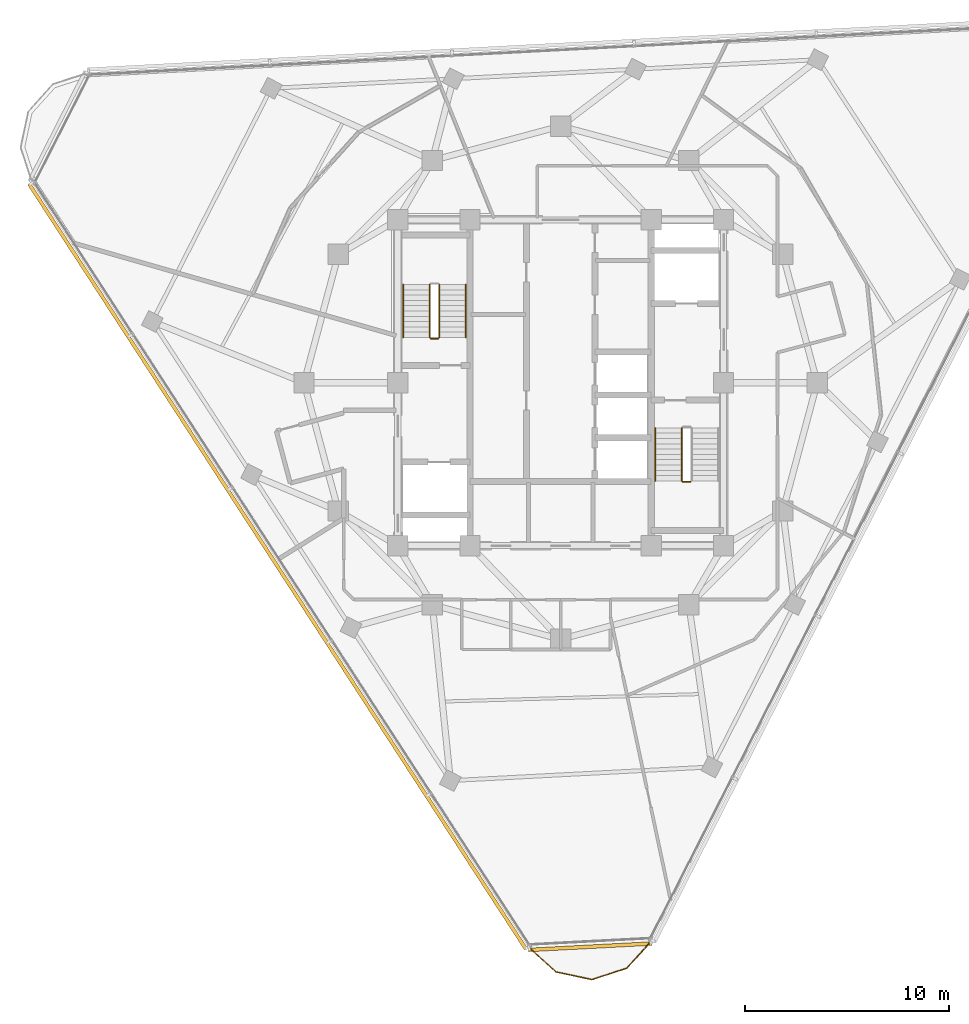
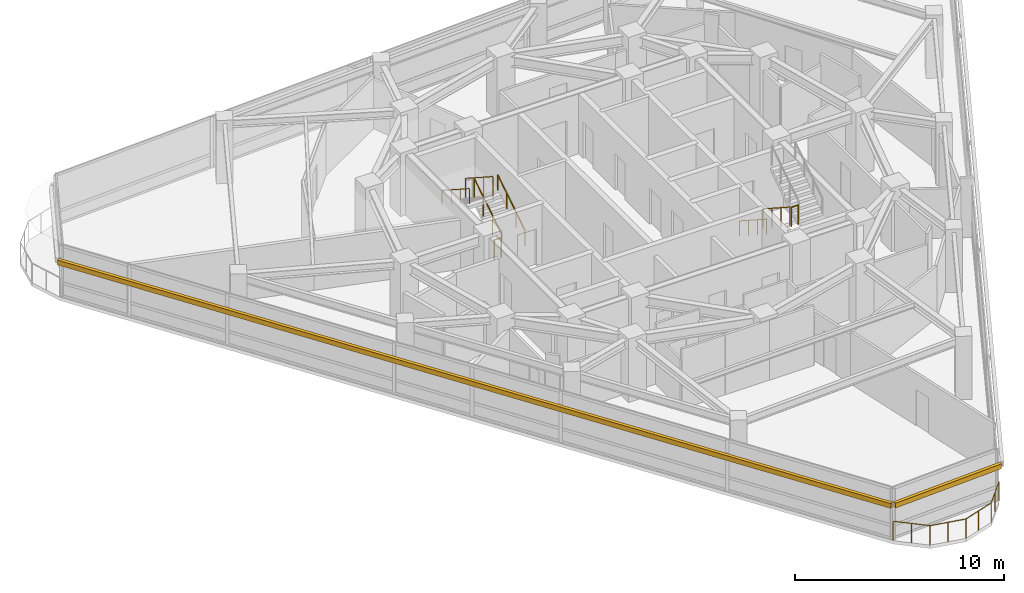
# One storey, part 12 of 15: 9 railings, 2 shading devices.
"""IFC4 building model written with IfcOpenShell, lengths in metres."""

from ifc_helpers import new_model, si_unit, direction, frame, origin, origin_2d, place, context, subcontext, project, spatial, rectangle, circle, extrude, material, layer, layer_set, type_object, element, save


model = new_model("IFC4")

# Units and contexts
model_context = context("Model", 3, precision=1e-05, world=origin(), true_north=direction((0.0, 1.0)))
body_context = subcontext(model_context, "Body", "Model", "MODEL_VIEW")
ifc_project = project(units=[si_unit("LENGTHUNIT", "METRE"), si_unit("AREAUNIT", "SQUARE_METRE"), si_unit("VOLUMEUNIT", "CUBIC_METRE"), si_unit("PLANEANGLEUNIT", "RADIAN"), si_unit("MASSUNIT", "GRAM", prefix="KILO")], contexts=[model_context])

# Site, building, storey
site_placement = place(None, origin())
site = spatial("IfcSite", under=ifc_project, at=site_placement, CompositionType="ELEMENT")
building_placement = place(site_placement, origin())
building = spatial("IfcBuilding", under=site, at=building_placement, Name="Terralouvre Media Tower", CompositionType="ELEMENT")
storey_placement = place(building_placement, frame((0.0, 0.0, 263.300048828125)))
storey = spatial("IfcBuildingStorey", under=building, at=storey_placement, Name="L68", CompositionType="ELEMENT", Elevation=263.300048828125)

# Railings
ifc_material_1 = material(Name="Stainless steel 316 handrail and balustrade", Category="steel")
ifc_layer_1 = layer(ifc_material_1, 0.06005859375, Name="Roof Edge Safety Guardrail GR-ROOF1")
ifc_layer_set_1 = layer_set([ifc_layer_1], Name="Stainless steel 316 handrail and balustrade")
railing_type_1 = type_object("IfcRailingType", Name="Roof Edge Safety Guardrail GR-ROOF1", PredefinedType="GUARDRAIL", material=ifc_layer_set_1)
railing_1_placement = place(storey_placement, frame((-1.580810546875, -27.72119140625, 0.0)))
element("IfcRailing", 1, at=railing_1_placement, inside=storey, type_object=railing_type_1, Name="L68 Wind-Corner Perimeter Safety Guardrail C0", PredefinedType="GUARDRAIL", context=body_context, shape_type="SweptSolid", body=[
    extrude(circle(Radius=0.02099609375, at=origin_2d()), frame((0.0, 0.0, 1.12890625), z_axis=(0.743012566317, -0.66927746585, 0.0), x_axis=(0.66927746585, 0.743012566317, 0.0)), (0.0, 0.0, 1.0), 1.81103515625),
    extrude(circle(Radius=0.02099609375, at=origin_2d()), frame((1.345703125, -1.212158203125, 1.12890625), z_axis=(0.978122858597, -0.208028059382, 0.0), x_axis=(0.208028059382, 0.978122858597, 0.0)), (0.0, 0.0, 1.0), 1.810791015625),
    extrude(circle(Radius=0.02099609375, at=origin_2d()), frame((3.116943359375, -1.5888671875, 1.12890625), z_axis=(0.951016233487, 0.309140944625, 0.0), x_axis=(-0.309140944625, 0.951016233487, 0.0)), (0.0, 0.0, 1.0), 1.810791015625),
    extrude(circle(Radius=0.02099609375, at=origin_2d()), frame((4.839111328125, -1.029052734375, 1.12890625), z_axis=(0.668920042495, 0.74333436403, 0.0), x_axis=(-0.74333436403, 0.668920042495, 0.0)), (0.0, 0.0, 1.0), 1.81103515625),
    extrude(circle(Radius=0.01904296875, at=origin_2d()), origin(), (0.0, 0.0, 1.0), 1.10791015625),
    extrude(circle(Radius=0.01904296875, at=origin_2d()), frame((0.6728515625, -0.60595703125, 0.0)), (0.0, 0.0, 1.0), 1.10791015625),
    extrude(circle(Radius=0.01904296875, at=origin_2d()), frame((1.345703125, -1.212158203125, 0.0)), (0.0, 0.0, 1.0), 1.10791015625),
    extrude(circle(Radius=0.01904296875, at=origin_2d()), frame((2.2314453125, -1.400390625, 0.0)), (0.0, 0.0, 1.0), 1.10791015625),
    extrude(circle(Radius=0.01904296875, at=origin_2d()), frame((3.116943359375, -1.5888671875, 0.0)), (0.0, 0.0, 1.0), 1.10791015625),
    extrude(circle(Radius=0.01904296875, at=origin_2d()), frame((3.97802734375, -1.30908203125, 0.0)), (0.0, 0.0, 1.0), 1.10791015625),
    extrude(circle(Radius=0.01904296875, at=origin_2d()), frame((4.839111328125, -1.029052734375, 0.0)), (0.0, 0.0, 1.0), 1.10791015625),
    extrude(circle(Radius=0.01904296875, at=origin_2d()), frame((5.44482421875, -0.35595703125, 0.0)), (0.0, 0.0, 1.0), 1.10791015625),
    extrude(circle(Radius=0.01904296875, at=origin_2d()), frame((6.050537109375, 0.317138671875, 0.0)), (0.0, 0.0, 1.0), 1.10791015625),
])
ifc_material_2 = material(Name="Stainless steel 316 handrail and balustrade", Category="steel")
ifc_layer_2 = layer(ifc_material_2, 0.050048828125, Name="Stair Flight Wall Handrail HR-INT1")
ifc_layer_set_2 = layer_set([ifc_layer_2], Name="Stainless steel 316 handrail and balustrade")
railing_type_2 = type_object("IfcRailingType", Name="Stair Flight Wall Handrail HR-INT1", PredefinedType="HANDRAIL", material=ifc_layer_set_2)
railing_2_placement = place(storey_placement, frame((-4.64990234375, 2.219970703125, 0.168212890625)))
element("IfcRailing", 2, at=railing_2_placement, inside=storey, type_object=railing_type_2, Name="L68 ST-01 stair handrail 1", PredefinedType="HANDRAIL", context=body_context, shape_type="SweptSolid", body=[
    extrude(circle(Radius=0.02392578125, at=origin_2d()), frame((0.0, 0.0, 0.8759765625), z_axis=(0.0, 0.839684365666, 0.543074733399), x_axis=(-1.0, 0.0, 0.0)), (0.0, 0.0, 1.0), 3.096435546875),
    extrude(circle(Radius=0.02099609375, at=origin_2d()), origin(), (0.0, 0.0, 1.0), 0.851806640625),
    extrude(circle(Radius=0.02099609375, at=origin_2d()), frame((0.0, 0.86669921875, 0.560546875)), (0.0, 0.0, 1.0), 0.851806640625),
    extrude(circle(Radius=0.02099609375, at=origin_2d()), frame((0.0, 1.7333984375, 1.12109375)), (0.0, 0.0, 1.0), 0.851806640625),
    extrude(circle(Radius=0.02099609375, at=origin_2d()), frame((0.0, 2.60009765625, 1.681640625)), (0.0, 0.0, 1.0), 0.851806640625),
])
railing_3_placement = place(storey_placement, frame((-7.72998046875, 4.820068359375, 2.01806640625)))
element("IfcRailing", 3, at=railing_3_placement, inside=storey, type_object=railing_type_2, Name="L68 ST-01 stair handrail 2", PredefinedType="HANDRAIL", context=body_context, shape_type="SweptSolid", body=[
    extrude(circle(Radius=0.02392578125, at=origin_2d()), frame((0.0, 0.0, 0.8759765625), z_axis=(0.0, -0.839648411786, 0.543130320075), x_axis=(1.0, 0.0, 0.0)), (0.0, 0.0, 1.0), 3.0966796875),
    extrude(circle(Radius=0.02099609375, at=origin_2d()), origin(), (0.0, 0.0, 1.0), 0.851806640625),
    extrude(circle(Radius=0.02099609375, at=origin_2d()), frame((0.0, -0.86669921875, 0.560546875)), (0.0, 0.0, 1.0), 0.851806640625),
    extrude(circle(Radius=0.02099609375, at=origin_2d()), frame((0.0, -1.7333984375, 1.121337890625)), (0.0, 0.0, 1.0), 0.851806640625),
    extrude(circle(Radius=0.02099609375, at=origin_2d()), frame((0.0, -2.60009765625, 1.681884765625)), (0.0, 0.0, 1.0), 0.851806640625),
])
railing_4_placement = place(storey_placement, frame((4.64990234375, -2.219970703125, 0.168212890625)))
element("IfcRailing", 4, at=railing_4_placement, inside=storey, type_object=railing_type_2, Name="L68 ST-02 stair handrail 1", PredefinedType="HANDRAIL", context=body_context, shape_type="SweptSolid", body=[
    extrude(circle(Radius=0.02392578125, at=origin_2d()), frame((0.0, 0.0, 0.8759765625), z_axis=(0.0, -0.839684365666, 0.543074733399), x_axis=(1.0, 0.0, 0.0)), (0.0, 0.0, 1.0), 3.096435546875),
    extrude(circle(Radius=0.02099609375, at=origin_2d()), origin(), (0.0, 0.0, 1.0), 0.851806640625),
    extrude(circle(Radius=0.02099609375, at=origin_2d()), frame((0.0, -0.86669921875, 0.560546875)), (0.0, 0.0, 1.0), 0.851806640625),
    extrude(circle(Radius=0.02099609375, at=origin_2d()), frame((0.0, -1.7333984375, 1.12109375)), (0.0, 0.0, 1.0), 0.851806640625),
    extrude(circle(Radius=0.02099609375, at=origin_2d()), frame((0.0, -2.60009765625, 1.681640625)), (0.0, 0.0, 1.0), 0.851806640625),
])
ifc_material_3 = material(Name="Stainless steel 316 handrail and balustrade", Category="steel")
ifc_layer_3 = layer(ifc_material_3, 0.050048828125, Name="Stairwell Safety Guardrail GR-INT1")
ifc_layer_set_3 = layer_set([ifc_layer_3], Name="Stainless steel 316 handrail and balustrade")
railing_type_3 = type_object("IfcRailingType", Name="Stairwell Safety Guardrail GR-INT1", PredefinedType="GUARDRAIL", material=ifc_layer_set_3)
railing_5_placement = place(storey_placement, frame((-5.949951171875, 2.219970703125, 0.168212890625)))
element("IfcRailing", 5, at=railing_5_placement, inside=storey, type_object=railing_type_3, Name="L68 ST-01 stair guard 1", PredefinedType="GUARDRAIL", context=body_context, shape_type="SweptSolid", body=[
    extrude(circle(Radius=0.02392578125, at=origin_2d()), frame((0.0, 0.0, 1.1259765625), z_axis=(0.0, 0.839684365666, 0.543074733399), x_axis=(-1.0, 0.0, 0.0)), (0.0, 0.0, 1.0), 3.096435546875),
    extrude(circle(Radius=0.02099609375, at=origin_2d()), origin(), (0.0, 0.0, 1.0), 1.101806640625),
    extrude(circle(Radius=0.02099609375, at=origin_2d()), frame((0.0, 0.86669921875, 0.560546875)), (0.0, 0.0, 1.0), 1.101806640625),
    extrude(circle(Radius=0.02099609375, at=origin_2d()), frame((0.0, 1.7333984375, 1.12109375)), (0.0, 0.0, 1.0), 1.101806640625),
    extrude(circle(Radius=0.02099609375, at=origin_2d()), frame((0.0, 2.60009765625, 1.681640625)), (0.0, 0.0, 1.0), 1.101806640625),
])
railing_6_placement = place(storey_placement, frame((-6.429931640625, 4.820068359375, 2.01806640625)))
element("IfcRailing", 6, at=railing_6_placement, inside=storey, type_object=railing_type_3, Name="L68 ST-01 stair guard 3", PredefinedType="GUARDRAIL", context=body_context, shape_type="SweptSolid", body=[
    extrude(circle(Radius=0.02392578125, at=origin_2d()), frame((0.0, 0.0, 1.1259765625), z_axis=(0.0, -0.839648411786, 0.543130320075), x_axis=(1.0, 0.0, 0.0)), (0.0, 0.0, 1.0), 3.0966796875),
    extrude(circle(Radius=0.02099609375, at=origin_2d()), origin(), (0.0, 0.0, 1.0), 1.101806640625),
    extrude(circle(Radius=0.02099609375, at=origin_2d()), frame((0.0, -0.86669921875, 0.560546875)), (0.0, 0.0, 1.0), 1.101806640625),
    extrude(circle(Radius=0.02099609375, at=origin_2d()), frame((0.0, -1.7333984375, 1.121337890625)), (0.0, 0.0, 1.0), 1.101806640625),
    extrude(circle(Radius=0.02099609375, at=origin_2d()), frame((0.0, -2.60009765625, 1.681884765625)), (0.0, 0.0, 1.0), 1.101806640625),
])
railing_7_placement = place(storey_placement, frame((-6.0, 2.169921875, 0.0)))
element("IfcRailing", 7, at=railing_7_placement, inside=storey, type_object=railing_type_3, Name="L68 ST-01 stair guard 4", PredefinedType="GUARDRAIL", context=body_context, shape_type="SweptSolid", body=[
    extrude(circle(Radius=0.02392578125, at=origin_2d()), frame((0.0, 0.0, 1.1259765625), z_axis=(-1.0, 0.0, 0.0), x_axis=(0.0, -1.0, 0.0)), (0.0, 0.0, 1.0), 0.3798828125),
    extrude(circle(Radius=0.02099609375, at=origin_2d()), origin(), (0.0, 0.0, 1.0), 1.101806640625),
    extrude(circle(Radius=0.02099609375, at=origin_2d()), frame((-0.3798828125, 0.0, 0.0)), (0.0, 0.0, 1.0), 1.101806640625),
])
railing_8_placement = place(storey_placement, frame((5.949951171875, -2.219970703125, 0.168212890625)))
element("IfcRailing", 8, at=railing_8_placement, inside=storey, type_object=railing_type_3, Name="L68 ST-02 stair guard 1", PredefinedType="GUARDRAIL", context=body_context, shape_type="SweptSolid", body=[
    extrude(circle(Radius=0.02392578125, at=origin_2d()), frame((0.0, 0.0, 1.1259765625), z_axis=(0.0, -0.839684365666, 0.543074733399), x_axis=(1.0, 0.0, 0.0)), (0.0, 0.0, 1.0), 3.096435546875),
    extrude(circle(Radius=0.02099609375, at=origin_2d()), origin(), (0.0, 0.0, 1.0), 1.101806640625),
    extrude(circle(Radius=0.02099609375, at=origin_2d()), frame((0.0, -0.86669921875, 0.560546875)), (0.0, 0.0, 1.0), 1.101806640625),
    extrude(circle(Radius=0.02099609375, at=origin_2d()), frame((0.0, -1.7333984375, 1.12109375)), (0.0, 0.0, 1.0), 1.101806640625),
    extrude(circle(Radius=0.02099609375, at=origin_2d()), frame((0.0, -2.60009765625, 1.681640625)), (0.0, 0.0, 1.0), 1.101806640625),
])
railing_9_placement = place(storey_placement, frame((6.0, -4.8701171875, 1.849853515625)))
element("IfcRailing", 9, at=railing_9_placement, inside=storey, type_object=railing_type_3, Name="L68 ST-02 stair guard 2", PredefinedType="GUARDRAIL", context=body_context, shape_type="SweptSolid", body=[
    extrude(circle(Radius=0.02392578125, at=origin_2d()), frame((0.0, 0.0, 1.1259765625), z_axis=(1.0, 0.0, 0.0), x_axis=(0.0, 1.0, 0.0)), (0.0, 0.0, 1.0), 0.3798828125),
    extrude(circle(Radius=0.02099609375, at=origin_2d()), origin(), (0.0, 0.0, 1.0), 1.101806640625),
    extrude(circle(Radius=0.02099609375, at=origin_2d()), frame((0.3798828125, 0.0, 0.0)), (0.0, 0.0, 1.0), 1.101806640625),
])

# Shading devices
ifc_material_4 = material(Name="Extruded terracotta baguette sunshade louvres", Category="masonry")
shading_device_type = type_object("IfcShadingDeviceType", Name="Terracotta Baguette Sunshade Louvre Screen TB-LV1", PredefinedType="USERDEFINED", material=ifc_material_4)
shading_device_1_placement = place(storey_placement, frame((-13.89892578125, -9.026123046875, 2.02392578125), z_axis=(0.0, 0.0, 1.0), x_axis=(0.544639069077, -0.838670545826, 0.0)))
element("IfcShadingDevice", 10, at=shading_device_1_placement, inside=storey, type_object=shading_device_type, Name="CW-L68-F2 Terracotta Baguette Sunshade Louvre", ObjectType="BAGUETTE", PredefinedType="USERDEFINED", context=body_context, shape_type="SweptSolid", body=[
    extrude(rectangle(XDim=44.800048828125, YDim=0.179931640625, at=origin_2d()), origin(), (0.0, 0.0, 1.0), 0.280029296875),
])
shading_device_2_placement = place(storey_placement, frame((1.45166015625, -27.697265625, 2.02392578125), z_axis=(0.0, 0.0, 1.0), x_axis=(0.998629533744, 0.05233597552, 0.0)))
element("IfcShadingDevice", 11, at=shading_device_2_placement, inside=storey, type_object=shading_device_type, Name="CW-L68-C0 Terracotta Baguette Sunshade Louvre", ObjectType="BAGUETTE", PredefinedType="USERDEFINED", context=body_context, shape_type="SweptSolid", body=[
    extrude(rectangle(XDim=6.062255859375, YDim=0.179931640625, at=origin_2d()), origin(), (0.0, 0.0, 1.0), 0.280029296875),
])

save(model, "model.ifc")
